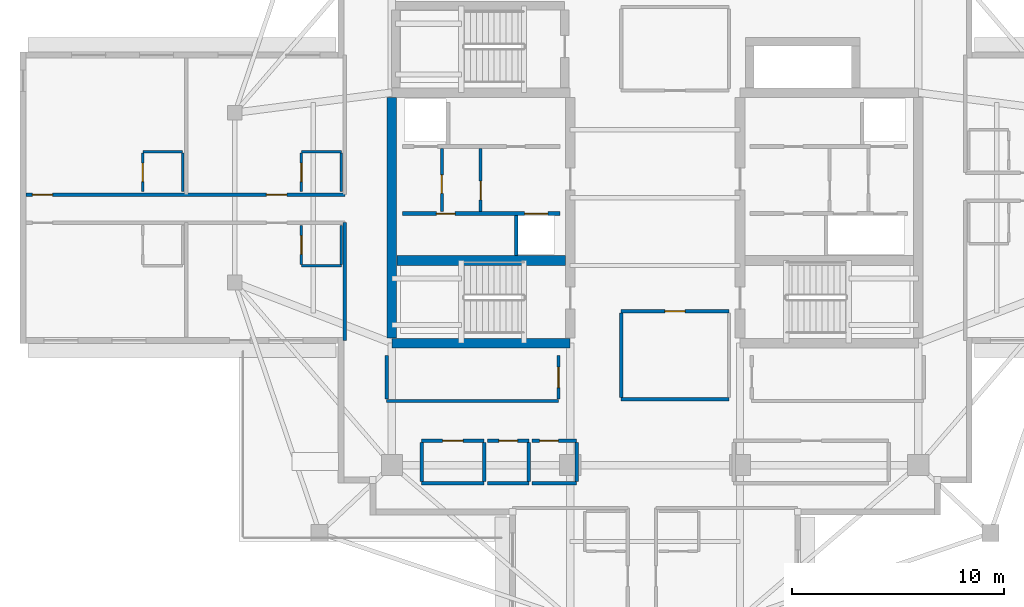
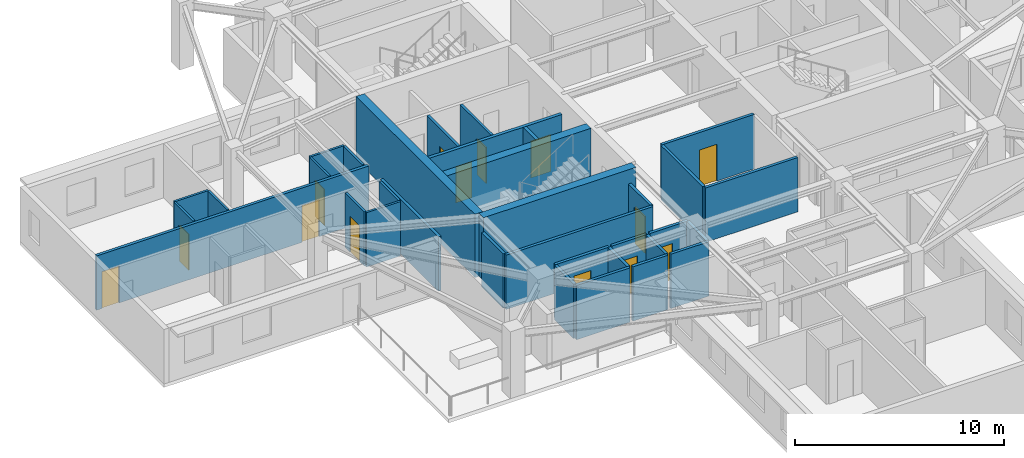
# One storey, part 4 of 12: 34 walls, 14 doors, 14 openings.
"""IFC4 building model written with IfcOpenShell, lengths in metres."""

from ifc_helpers import new_model, si_unit, direction, frame, frame_2d, origin, place, context, subcontext, project, spatial, rectangle, extrude, material, layer, layer_set, type_object, element, fill, save


model = new_model("IFC4")

# Units and contexts
model_context = context("Model", 3, precision=1e-05, world=origin(), true_north=direction((0.0, 1.0)))
body_context = subcontext(model_context, "Body", "Model", "MODEL_VIEW")
ifc_project = project(units=[si_unit("LENGTHUNIT", "METRE"), si_unit("AREAUNIT", "SQUARE_METRE"), si_unit("VOLUMEUNIT", "CUBIC_METRE"), si_unit("PLANEANGLEUNIT", "RADIAN"), si_unit("MASSUNIT", "GRAM", prefix="KILO")], contexts=[model_context])

# Site, building, storey
site_placement = place(None, origin())
site = spatial("IfcSite", under=ifc_project, at=site_placement, CompositionType="ELEMENT")
building_placement = place(site_placement, origin())
building = spatial("IfcBuilding", under=site, at=building_placement, Name="Qingluan Cross Belvedere", CompositionType="ELEMENT")
storey_placement = place(building_placement, frame((0.0, 0.0, 265.5)))
storey = spatial("IfcBuildingStorey", under=building, at=storey_placement, Name="L66", CompositionType="ELEMENT", Elevation=265.5)

# Walls
ifc_material_1 = material(Name="Concrete C50", Category="concrete")
ifc_layer_1 = layer(ifc_material_1, 0.449951171875, Name="CoreShearWall_450")
ifc_layer_set_1 = layer_set([ifc_layer_1], Name="Concrete C50")
wall_type_1 = type_object("IfcWallType", Name="CoreShearWall_450", PredefinedType="SHEAR", material=ifc_layer_set_1)
wall_1_placement = place(storey_placement, frame((-12.39990234375, -6.85009765625, 0.0), z_axis=(0.0, 0.0, 1.0), x_axis=(1.0, 0.0, 0.0)))
element("IfcWall", 1, at=wall_1_placement, inside=storey, type_object=wall_type_1, Name="Split core W shear wall L66-S", PredefinedType="SHEAR", context=body_context, shape_type="SweptSolid", body=[
    extrude(rectangle(XDim=8.39990234375, YDim=0.449951171875, at=frame_2d((4.199951171875, 0.0))), origin(), (0.0, 0.0, 1.0), 3.699951171875),
])
wall_2_placement = place(storey_placement, frame((-12.39990234375, -6.6201171875, 0.0), z_axis=(0.0, 0.0, 1.0), x_axis=(0.0, 1.0, 0.0)))
element("IfcWall", 2, at=wall_2_placement, inside=storey, type_object=wall_type_1, Name="Split core W shear wall L66-W", PredefinedType="SHEAR", context=body_context, shape_type="SweptSolid", body=[
    extrude(rectangle(XDim=11.340087890625, YDim=0.449951171875, at=frame_2d((5.669921875, 0.0))), origin(), (0.0, 0.0, 1.0), 3.699951171875),
])
wall_3_placement = place(storey_placement, frame((-12.169921875, -2.9599609375, 0.0), z_axis=(0.0, 0.0, 1.0), x_axis=(1.0, 0.0, 0.0)))
element("IfcWall", 3, at=wall_3_placement, inside=storey, type_object=wall_type_1, Name="Split core W shear wall L66-M", PredefinedType="SHEAR", context=body_context, shape_type="SweptSolid", body=[
    extrude(rectangle(XDim=7.93994140625, YDim=0.449951171875, at=frame_2d((3.969970703125, 0.0))), origin(), (0.0, 0.0, 1.0), 3.699951171875),
])

# Wall, opening, door
ifc_material_2 = material(Name="Gypsum plasterboard on steel stud acoustic partition", Category="steel")
ifc_layer_2 = layer(ifc_material_2, 0.159912109375, Name="CorridorPartition_160")
ifc_layer_set_2 = layer_set([ifc_layer_2], Name="Gypsum plasterboard on steel stud acoustic partition")
wall_type_2 = type_object("IfcWallType", Name="CorridorPartition_160", PredefinedType="PARTITIONING", material=ifc_layer_set_2)
wall_4_placement = place(storey_placement, frame((-10.050048828125, -0.652099609375, 0.0), z_axis=(0.0, 0.0, 1.0), x_axis=(0.0, 1.0, 0.0)))
wall_4 = element("IfcWall", 4, at=wall_4_placement, inside=storey, type_object=wall_type_2, Name="Partition L66:wv", PredefinedType="PARTITIONING", context=body_context, shape_type="SweptSolid", body=[
    extrude(rectangle(XDim=2.962158203125, YDim=0.139892578125, at=frame_2d((1.48095703125, 0.0))), origin(), (0.0, 0.0, 1.0), 3.169921875),
])
opening_1_placement = place(wall_4_placement, frame((0.85009765625, 0.0, 0.0)))
opening_1 = element("IfcOpeningElement", 5, at=opening_1_placement, cuts=wall_4, Name="Opening FD-B10", PredefinedType="OPENING", context=body_context, shape_type="SweptSolid", body=[
    extrude(rectangle(XDim=0.8798828125, YDim=2.10009765625, at=frame_2d((0.43994140625, 1.050048828125))), frame((0.0, 0.079833984375, 0.0), z_axis=(0.0, -1.0, 0.0), x_axis=(1.0, 0.0, 0.0)), (0.0, 0.0, 1.0), 0.159912109375),
])
ifc_material_3 = material(Name="Steel Class B service fire door", Category="steel")
door_type_1 = type_object("IfcDoorType", Name="RiserServiceFireDoor_FDB", OperationType="NOTDEFINED", PredefinedType="DOOR", material=ifc_material_3)
door_1_placement = place(opening_1_placement, origin())
door_1 = element("IfcDoor", 6, at=door_1_placement, inside=storey, type_object=door_type_1, Name="Service closet inner door L66", OperationType="SINGLE_SWING_LEFT", OverallHeight=2.10009765625, OverallWidth=0.8798828125, PredefinedType="DOOR", context=body_context, shape_type="SweptSolid", body=[
    extrude(rectangle(XDim=0.8798828125, YDim=2.10009765625, at=frame_2d((0.43994140625, 1.050048828125))), frame((0.0, 0.02490234375, 0.0), z_axis=(0.0, -1.0, 0.0), x_axis=(1.0, 0.0, 0.0)), (0.0, 0.0, 1.0), 0.050048828125),
])
fill(opening_1, door_1)

# Wall
wall_5_placement = place(storey_placement, frame((-11.0, -13.449951171875, 0.0), z_axis=(0.0, 0.0, 1.0), x_axis=(1.0, 0.0, 0.0)))
element("IfcWall", 7, at=wall_5_placement, inside=storey, type_object=wall_type_2, Name="Partition L66:q_sw_occ:S", PredefinedType="PARTITIONING", context=body_context, shape_type="SweptSolid", body=[
    extrude(rectangle(XDim=2.949951171875, YDim=0.159912109375, at=frame_2d((1.47509765625, 0.0))), origin(), (0.0, 0.0, 1.0), 3.169921875),
])

# Wall, opening, door
wall_6_placement = place(storey_placement, frame((-11.0, -11.449951171875, 0.0), z_axis=(0.0, 0.0, 1.0), x_axis=(1.0, 0.0, 0.0)))
wall_6 = element("IfcWall", 8, at=wall_6_placement, inside=storey, type_object=wall_type_2, Name="Partition L66:q_sw_occ:N", PredefinedType="PARTITIONING", context=body_context, shape_type="SweptSolid", body=[
    extrude(rectangle(XDim=2.949951171875, YDim=0.159912109375, at=frame_2d((1.47509765625, 0.0))), origin(), (0.0, 0.0, 1.0), 3.169921875),
])
opening_2_placement = place(wall_6_placement, frame((0.9951171875, 0.0, 0.0)))
opening_2 = element("IfcOpeningElement", 9, at=opening_2_placement, cuts=wall_6, Name="Opening GD-10", PredefinedType="OPENING", context=body_context, shape_type="SweptSolid", body=[
    extrude(rectangle(XDim=0.9599609375, YDim=2.14990234375, at=frame_2d((0.47998046875, 1.074951171875))), frame((0.0, 0.08984375, 0.0), z_axis=(0.0, -1.0, 0.0), x_axis=(1.0, 0.0, 0.0)), (0.0, 0.0, 1.0), 0.179931640625),
])
ifc_material_4 = material(Name="Timber oak fire-rated acoustic guestroom door", Category="wood")
door_type_2 = type_object("IfcDoorType", Name="GuestEntryDoor_FD60", OperationType="NOTDEFINED", PredefinedType="DOOR", material=ifc_material_4)
door_2_placement = place(opening_2_placement, origin())
door_2 = element("IfcDoor", 10, at=door_2_placement, inside=storey, type_object=door_type_2, Name="Wellness recovery room L66 door", OperationType="SINGLE_SWING_LEFT", OverallHeight=2.14990234375, OverallWidth=0.9599609375, PredefinedType="DOOR", context=body_context, shape_type="SweptSolid", body=[
    extrude(rectangle(XDim=0.9599609375, YDim=2.14990234375, at=frame_2d((0.47998046875, 1.074951171875))), frame((0.0, 0.02490234375, 0.0), z_axis=(0.0, -1.0, 0.0), x_axis=(1.0, 0.0, 0.0)), (0.0, 0.0, 1.0), 0.050048828125),
])
fill(opening_2, door_2)

# Walls
for number, where, z_axis, x_axis, name in (
    (11, (-11.0, -13.364990234375, 0.0), (0.0, 0.0, 1.0), (0.0, 1.0, 0.0), "Partition L66:q_sw_occ:W"),
    (12, (-8.050048828125, -13.364990234375, 0.0), (0.0, 0.0, 1.0), (0.0, 1.0, 0.0), "Partition L66:q_sw_occ:E"),
):
    element("IfcWall", number, at=place(storey_placement, frame(where, z_axis=z_axis, x_axis=x_axis)), inside=storey, type_object=wall_type_2, Name=name, PredefinedType="PARTITIONING", context=body_context, shape_type="SweptSolid", body=[
        extrude(rectangle(XDim=1.830078125, YDim=0.159912109375, at=frame_2d((0.9150390625, 0.0))), origin(), (0.0, 0.0, 1.0), 3.169921875),
    ])
wall_7_placement = place(storey_placement, frame((-7.889892578125, -13.449951171875, 0.0), z_axis=(0.0, 0.0, 1.0), x_axis=(1.0, 0.0, 0.0)))
element("IfcWall", 13, at=wall_7_placement, inside=storey, type_object=wall_type_2, Name="Partition L66:hk_linen:S", PredefinedType="PARTITIONING", context=body_context, shape_type="SweptSolid", body=[
    extrude(rectangle(XDim=1.93994140625, YDim=0.159912109375, at=frame_2d((0.969970703125, 0.0))), origin(), (0.0, 0.0, 1.0), 3.169921875),
])

# Wall, opening, door
wall_8_placement = place(storey_placement, frame((-7.889892578125, -11.449951171875, 0.0), z_axis=(0.0, 0.0, 1.0), x_axis=(1.0, 0.0, 0.0)))
wall_8 = element("IfcWall", 14, at=wall_8_placement, inside=storey, type_object=wall_type_2, Name="Partition L66:hk_linen:N", PredefinedType="PARTITIONING", context=body_context, shape_type="SweptSolid", body=[
    extrude(rectangle(XDim=1.93994140625, YDim=0.159912109375, at=frame_2d((0.969970703125, 0.0))), origin(), (0.0, 0.0, 1.0), 3.169921875),
])
opening_3_placement = place(wall_8_placement, frame((0.530029296875, 0.0, 0.0)))
opening_3 = element("IfcOpeningElement", 15, at=opening_3_placement, cuts=wall_8, Name="Opening FD-B10", PredefinedType="OPENING", context=body_context, shape_type="SweptSolid", body=[
    extrude(rectangle(XDim=0.8798828125, YDim=2.10009765625, at=frame_2d((0.43994140625, 1.050048828125))), frame((0.0, 0.08984375, 0.0), z_axis=(0.0, -1.0, 0.0), x_axis=(1.0, 0.0, 0.0)), (0.0, 0.0, 1.0), 0.179931640625),
])
door_3_placement = place(opening_3_placement, origin())
door_3 = element("IfcDoor", 16, at=door_3_placement, inside=storey, type_object=door_type_1, Name="Housekeeping and linen store L66 door", OperationType="SINGLE_SWING_RIGHT", OverallHeight=2.10009765625, OverallWidth=0.8798828125, PredefinedType="DOOR", context=body_context, shape_type="SweptSolid", body=[
    extrude(rectangle(XDim=0.8798828125, YDim=2.10009765625, at=frame_2d((0.43994140625, 1.050048828125))), frame((0.0, 0.02490234375, 0.0), z_axis=(0.0, -1.0, 0.0), x_axis=(1.0, 0.0, 0.0)), (0.0, 0.0, 1.0), 0.050048828125),
])
fill(opening_3, door_3)

# Walls
wall_9_placement = place(storey_placement, frame((-5.949951171875, -13.364990234375, 0.0), z_axis=(0.0, 0.0, 1.0), x_axis=(0.0, 1.0, 0.0)))
element("IfcWall", 17, at=wall_9_placement, inside=storey, type_object=wall_type_2, Name="Partition L66:hk_linen:E", PredefinedType="PARTITIONING", context=body_context, shape_type="SweptSolid", body=[
    extrude(rectangle(XDim=1.830078125, YDim=0.159912109375, at=frame_2d((0.9150390625, 0.0))), origin(), (0.0, 0.0, 1.0), 3.169921875),
])
wall_10_placement = place(storey_placement, frame((-5.7900390625, -13.449951171875, 0.0), z_axis=(0.0, 0.0, 1.0), x_axis=(1.0, 0.0, 0.0)))
element("IfcWall", 18, at=wall_10_placement, inside=storey, type_object=wall_type_2, Name="Partition L66:floor_acc_wc:S", PredefinedType="PARTITIONING", context=body_context, shape_type="SweptSolid", body=[
    extrude(rectangle(XDim=2.090087890625, YDim=0.159912109375, at=frame_2d((1.044921875, 0.0))), origin(), (0.0, 0.0, 1.0), 3.169921875),
])

# Wall, opening, door
wall_11_placement = place(storey_placement, frame((-5.7900390625, -11.449951171875, 0.0), z_axis=(0.0, 0.0, 1.0), x_axis=(1.0, 0.0, 0.0)))
wall_11 = element("IfcWall", 19, at=wall_11_placement, inside=storey, type_object=wall_type_2, Name="Partition L66:floor_acc_wc:N", PredefinedType="PARTITIONING", context=body_context, shape_type="SweptSolid", body=[
    extrude(rectangle(XDim=2.090087890625, YDim=0.159912109375, at=frame_2d((1.044921875, 0.0))), origin(), (0.0, 0.0, 1.0), 3.169921875),
])
opening_4_placement = place(wall_11_placement, frame((0.35009765625, 0.0, 0.0)))
opening_4 = element("IfcOpeningElement", 20, at=opening_4_placement, cuts=wall_11, Name="Opening BD-08", PredefinedType="OPENING", context=body_context, shape_type="SweptSolid", body=[
    extrude(rectangle(XDim=0.8798828125, YDim=2.14990234375, at=frame_2d((0.43994140625, 1.074951171875))), frame((0.0, 0.08984375, 0.0), z_axis=(0.0, -1.0, 0.0), x_axis=(1.0, 0.0, 0.0)), (0.0, 0.0, 1.0), 0.179931640625),
])
ifc_material_5 = material(Name="Moisture-sealed timber accessible WC door", Category="wood")
door_type_3 = type_object("IfcDoorType", Name="AccessibleWCDoor_880", OperationType="NOTDEFINED", PredefinedType="DOOR", material=ifc_material_5)
door_4_placement = place(opening_4_placement, origin())
door_4 = element("IfcDoor", 21, at=door_4_placement, inside=storey, type_object=door_type_3, Name="Accessible guest washroom L66 door", OperationType="SINGLE_SWING_LEFT", OverallHeight=2.14990234375, OverallWidth=0.8798828125, PredefinedType="DOOR", context=body_context, shape_type="SweptSolid", body=[
    extrude(rectangle(XDim=0.8798828125, YDim=2.14990234375, at=frame_2d((0.43994140625, 1.074951171875))), frame((0.0, 0.02490234375, 0.0), z_axis=(0.0, -1.0, 0.0), x_axis=(1.0, 0.0, 0.0)), (0.0, 0.0, 1.0), 0.050048828125),
])
fill(opening_4, door_4)

# Walls
wall_12_placement = place(storey_placement, frame((-3.699951171875, -13.364990234375, 0.0), z_axis=(0.0, 0.0, 1.0), x_axis=(0.0, 1.0, 0.0)))
element("IfcWall", 22, at=wall_12_placement, inside=storey, type_object=wall_type_2, Name="Partition L66:floor_acc_wc:E", PredefinedType="PARTITIONING", context=body_context, shape_type="SweptSolid", body=[
    extrude(rectangle(XDim=1.830078125, YDim=0.159912109375, at=frame_2d((0.9150390625, 0.0))), origin(), (0.0, 0.0, 1.0), 3.169921875),
])
wall_13_placement = place(storey_placement, frame((-1.60009765625, -9.5, 0.0), z_axis=(0.0, 0.0, 1.0), x_axis=(1.0, 0.0, 0.0)))
element("IfcWall", 23, at=wall_13_placement, inside=storey, type_object=wall_type_2, Name="Partition L66:sky_south_alcove:S", PredefinedType="PARTITIONING", context=body_context, shape_type="SweptSolid", body=[
    extrude(rectangle(XDim=5.080078125, YDim=0.159912109375, at=frame_2d((2.5400390625, 0.0))), origin(), (0.0, 0.0, 1.0), 3.169921875),
])

# Wall, opening, door
wall_14_placement = place(storey_placement, frame((-1.60009765625, -5.35009765625, 0.0), z_axis=(0.0, 0.0, 1.0), x_axis=(1.0, 0.0, 0.0)))
wall_14 = element("IfcWall", 24, at=wall_14_placement, inside=storey, type_object=wall_type_2, Name="Partition L66:sky_south_alcove:N", PredefinedType="PARTITIONING", context=body_context, shape_type="SweptSolid", body=[
    extrude(rectangle(XDim=5.080078125, YDim=0.159912109375, at=frame_2d((2.5400390625, 0.0))), origin(), (0.0, 0.0, 1.0), 3.169921875),
])
opening_5_placement = place(wall_14_placement, frame((2.06005859375, 0.0, 0.0)))
opening_5 = element("IfcOpeningElement", 25, at=opening_5_placement, cuts=wall_14, Name="Opening GD-10", PredefinedType="OPENING", context=body_context, shape_type="SweptSolid", body=[
    extrude(rectangle(XDim=0.9599609375, YDim=2.14990234375, at=frame_2d((0.47998046875, 1.074951171875))), frame((0.0, 0.08984375, 0.0), z_axis=(0.0, -1.0, 0.0), x_axis=(1.0, 0.0, 0.0)), (0.0, 0.0, 1.0), 0.179931640625),
])
door_5_placement = place(opening_5_placement, origin())
door_5 = element("IfcDoor", 26, at=door_5_placement, inside=storey, type_object=door_type_2, Name="South horizon reading alcove L66 door", OperationType="SINGLE_SWING_LEFT", OverallHeight=2.14990234375, OverallWidth=0.9599609375, PredefinedType="DOOR", context=body_context, shape_type="SweptSolid", body=[
    extrude(rectangle(XDim=0.9599609375, YDim=2.14990234375, at=frame_2d((0.47998046875, 1.074951171875))), frame((0.0, 0.02490234375, 0.0), z_axis=(0.0, -1.0, 0.0), x_axis=(1.0, 0.0, 0.0)), (0.0, 0.0, 1.0), 0.050048828125),
])
fill(opening_5, door_5)

# Walls
wall_15_placement = place(storey_placement, frame((-1.60009765625, -9.4150390625, 0.0), z_axis=(0.0, 0.0, 1.0), x_axis=(0.0, 1.0, 0.0)))
element("IfcWall", 27, at=wall_15_placement, inside=storey, type_object=wall_type_2, Name="Partition L66:sky_south_alcove:W", PredefinedType="PARTITIONING", context=body_context, shape_type="SweptSolid", body=[
    extrude(rectangle(XDim=3.97998046875, YDim=0.159912109375, at=frame_2d((1.989990234375, 0.0))), origin(), (0.0, 0.0, 1.0), 3.169921875),
])
wall_16_placement = place(storey_placement, frame((-12.64990234375, -9.580078125, 0.0), z_axis=(0.0, 0.0, 1.0), x_axis=(1.0, 0.0, 0.0)))
element("IfcWall", 28, at=wall_16_placement, inside=storey, type_object=wall_type_2, Name="Partition L66:rec_st4_w:S", PredefinedType="PARTITIONING", context=body_context, shape_type="SweptSolid", body=[
    extrude(rectangle(XDim=8.099853515625, YDim=0.159912109375, at=frame_2d((4.0498046875, 0.0))), origin(), (0.0, 0.0, 1.0), 3.169921875),
])
wall_17_placement = place(storey_placement, frame((-12.64990234375, -9.4951171875, 0.0), z_axis=(0.0, 0.0, 1.0), x_axis=(0.0, 1.0, 0.0)))
element("IfcWall", 29, at=wall_17_placement, inside=storey, type_object=wall_type_2, Name="Partition L66:rec_st4_w:W", PredefinedType="PARTITIONING", context=body_context, shape_type="SweptSolid", body=[
    extrude(rectangle(XDim=2.06005859375, YDim=0.159912109375, at=frame_2d((1.030029296875, 0.0))), origin(), (0.0, 0.0, 1.0), 3.169921875),
])

# Wall, opening, door
wall_18_placement = place(storey_placement, frame((-4.550048828125, -9.4951171875, 0.0), z_axis=(0.0, 0.0, 1.0), x_axis=(0.0, 1.0, 0.0)))
wall_18 = element("IfcWall", 30, at=wall_18_placement, inside=storey, type_object=wall_type_2, Name="Partition L66:rec_st4_w:E", PredefinedType="PARTITIONING", context=body_context, shape_type="SweptSolid", body=[
    extrude(rectangle(XDim=2.06005859375, YDim=0.159912109375, at=frame_2d((1.030029296875, 0.0))), origin(), (0.0, 0.0, 1.0), 3.169921875),
])
opening_6_placement = place(wall_18_placement, frame((0.550048828125, 0.0, 0.0)))
opening_6 = element("IfcOpeningElement", 31, at=opening_6_placement, cuts=wall_18, Name="Opening GD-10", PredefinedType="OPENING", context=body_context, shape_type="SweptSolid", body=[
    extrude(rectangle(XDim=0.9599609375, YDim=2.14990234375, at=frame_2d((0.47998046875, 1.074951171875))), frame((0.0, 0.08984375, 0.0), z_axis=(0.0, -1.0, 0.0), x_axis=(1.0, 0.0, 0.0)), (0.0, 0.0, 1.0), 0.179931640625),
])
door_6_placement = place(opening_6_placement, origin())
door_6 = element("IfcDoor", 32, at=door_6_placement, inside=storey, type_object=door_type_2, Name="Southwest club reading room L66 door", OperationType="SINGLE_SWING_LEFT", OverallHeight=2.14990234375, OverallWidth=0.9599609375, PredefinedType="DOOR", context=body_context, shape_type="SweptSolid", body=[
    extrude(rectangle(XDim=0.9599609375, YDim=2.14990234375, at=frame_2d((0.47998046875, 1.074951171875))), frame((0.0, 0.02490234375, 0.0), z_axis=(0.0, -1.0, 0.0), x_axis=(1.0, 0.0, 0.0)), (0.0, 0.0, 1.0), 0.050048828125),
])
fill(opening_6, door_6)

# Wall, openings, doors
wall_19_placement = place(storey_placement, frame((-14.6201171875, 0.139892578125, 0.0), z_axis=(0.0, 0.0, 1.0), x_axis=(-1.0, 0.0, 0.0)))
wall_19 = element("IfcWall", 33, at=wall_19_placement, inside=storey, type_object=wall_type_2, Name="Partition L66:W:c0", PredefinedType="PARTITIONING", context=body_context, shape_type="SweptSolid", body=[
    extrude(rectangle(XDim=15.011962890625, YDim=0.159912109375, at=frame_2d((7.505859375, 0.0))), origin(), (0.0, 0.0, 1.0), 3.169921875),
])
opening_7_placement = place(wall_19_placement, frame((2.72802734375, 0.0, 0.0)))
opening_7 = element("IfcOpeningElement", 34, at=opening_7_placement, cuts=wall_19, Name="Opening GD-10", PredefinedType="OPENING", context=body_context, shape_type="SweptSolid", body=[
    extrude(rectangle(XDim=0.9599609375, YDim=2.14990234375, at=frame_2d((0.47998046875, 1.074951171875))), frame((0.0, 0.08984375, 0.0), z_axis=(0.0, -1.0, 0.0), x_axis=(1.0, 0.0, 0.0)), (0.0, 0.0, 1.0), 0.179931640625),
])
opening_8_placement = place(wall_19_placement, frame((13.760009765625, 0.0, 0.0)))
opening_8 = element("IfcOpeningElement", 35, at=opening_8_placement, cuts=wall_19, Name="Opening GD-10", PredefinedType="OPENING", context=body_context, shape_type="SweptSolid", body=[
    extrude(rectangle(XDim=0.9599609375, YDim=2.14990234375, at=frame_2d((0.47998046875, 1.074951171875))), frame((0.0, 0.08984375, 0.0), z_axis=(0.0, -1.0, 0.0), x_axis=(1.0, 0.0, 0.0)), (0.0, 0.0, 1.0), 0.179931640625),
])
door_7_placement = place(opening_7_placement, origin())
door_7 = element("IfcDoor", 36, at=door_7_placement, inside=storey, type_object=door_type_2, Name="Guest entry fire door 6605", OperationType="SINGLE_SWING_RIGHT", OverallHeight=2.14990234375, OverallWidth=0.9599609375, PredefinedType="DOOR", context=body_context, shape_type="SweptSolid", body=[
    extrude(rectangle(XDim=0.9599609375, YDim=2.14990234375, at=frame_2d((0.47998046875, 1.074951171875))), frame((0.0, 0.02490234375, 0.0), z_axis=(0.0, -1.0, 0.0), x_axis=(1.0, 0.0, 0.0)), (0.0, 0.0, 1.0), 0.050048828125),
])
fill(opening_7, door_7)
door_8_placement = place(opening_8_placement, origin())
door_8 = element("IfcDoor", 37, at=door_8_placement, inside=storey, type_object=door_type_2, Name="Guest entry fire door 6606", OperationType="SINGLE_SWING_RIGHT", OverallHeight=2.14990234375, OverallWidth=0.9599609375, PredefinedType="DOOR", context=body_context, shape_type="SweptSolid", body=[
    extrude(rectangle(XDim=0.9599609375, YDim=2.14990234375, at=frame_2d((0.47998046875, 1.074951171875))), frame((0.0, 0.02490234375, 0.0), z_axis=(0.0, -1.0, 0.0), x_axis=(1.0, 0.0, 0.0)), (0.0, 0.0, 1.0), 0.050048828125),
])
fill(opening_8, door_8)

# Wall
wall_20_placement = place(storey_placement, frame((-14.6201171875, -1.179931640625, 0.0), z_axis=(0.0, 0.0, 1.0), x_axis=(0.0, -1.0, 0.0)))
element("IfcWall", 38, at=wall_20_placement, inside=storey, type_object=wall_type_2, Name="Partition L66:W:s1", PredefinedType="PARTITIONING", context=body_context, shape_type="SweptSolid", body=[
    extrude(rectangle(XDim=5.5400390625, YDim=0.159912109375, at=frame_2d((2.77001953125, 0.0))), origin(), (0.0, 0.0, 1.0), 3.169921875),
])

# Wall, opening, door
ifc_material_6 = material(Name="Moisture-resistant gypsum board lining")
ifc_layer_3 = layer(ifc_material_6, 0.1201171875, Name="EnsuiteWetPartition_120")
ifc_layer_set_3 = layer_set([ifc_layer_3], Name="Moisture-resistant gypsum board lining")
wall_type_3 = type_object("IfcWallType", Name="EnsuiteWetPartition_120", PredefinedType="PARTITIONING", material=ifc_layer_set_3)
wall_21_placement = place(storey_placement, frame((-16.659912109375, 0.280029296875, 0.0), z_axis=(0.0, 0.0, 1.0), x_axis=(0.0, 1.0, 0.0)))
wall_21 = element("IfcWall", 39, at=wall_21_placement, inside=storey, type_object=wall_type_3, Name="Partition L66:W:bs0_0", PredefinedType="PARTITIONING", context=body_context, shape_type="SweptSolid", body=[
    extrude(rectangle(XDim=1.820068359375, YDim=0.1201171875, at=frame_2d((0.91015625, 0.0))), origin(), (0.0, 0.0, 1.0), 3.169921875),
])
opening_9_placement = place(wall_21_placement, frame((0.469970703125, 0.0, 0.0)))
opening_9 = element("IfcOpeningElement", 40, at=opening_9_placement, cuts=wall_21, Name="Opening BD-09", PredefinedType="OPENING", context=body_context, shape_type="SweptSolid", body=[
    extrude(rectangle(XDim=0.8798828125, YDim=2.10009765625, at=frame_2d((0.43994140625, 1.050048828125))), frame((0.0, 0.070068359375, 0.0), z_axis=(0.0, -1.0, 0.0), x_axis=(1.0, 0.0, 0.0)), (0.0, 0.0, 1.0), 0.14013671875),
])
ifc_material_7 = material(Name="Moisture-sealed timber en-suite door", Category="wood")
door_type_4 = type_object("IfcDoorType", Name="BathroomDoor_880", OperationType="NOTDEFINED", PredefinedType="DOOR", material=ifc_material_7)
door_9_placement = place(opening_9_placement, origin())
door_9 = element("IfcDoor", 41, at=door_9_placement, inside=storey, type_object=door_type_4, Name="Bathroom door 6605", OperationType="SINGLE_SWING_LEFT", OverallHeight=2.10009765625, OverallWidth=0.8798828125, PredefinedType="DOOR", context=body_context, shape_type="SweptSolid", body=[
    extrude(rectangle(XDim=0.8798828125, YDim=2.10009765625, at=frame_2d((0.43994140625, 1.050048828125))), frame((0.0, 0.02490234375, 0.0), z_axis=(0.0, -1.0, 0.0), x_axis=(1.0, 0.0, 0.0)), (0.0, 0.0, 1.0), 0.050048828125),
])
fill(opening_9, door_9)

# Walls
wall_22_placement = place(storey_placement, frame((-14.780029296875, 0.280029296875, 0.0), z_axis=(0.0, 0.0, 1.0), x_axis=(0.0, 1.0, 0.0)))
element("IfcWall", 42, at=wall_22_placement, inside=storey, type_object=wall_type_3, Name="Partition L66:W:bw0_0", PredefinedType="PARTITIONING", context=body_context, shape_type="SweptSolid", body=[
    extrude(rectangle(XDim=1.820068359375, YDim=0.1201171875, at=frame_2d((0.91015625, 0.0))), origin(), (0.0, 0.0, 1.0), 3.169921875),
])
wall_23_placement = place(storey_placement, frame((-14.780029296875, 2.1650390625, 0.0), z_axis=(0.0, 0.0, 1.0), x_axis=(-1.0, 0.0, 0.0)))
element("IfcWall", 43, at=wall_23_placement, inside=storey, type_object=wall_type_3, Name="Partition L66:W:bn0_0", PredefinedType="PARTITIONING", context=body_context, shape_type="SweptSolid", body=[
    extrude(rectangle(XDim=1.8798828125, YDim=0.1201171875, at=frame_2d((0.93994140625, 0.0))), origin(), (0.0, 0.0, 1.0), 3.169921875),
])

# Wall, opening, door
wall_24_placement = place(storey_placement, frame((-24.136962890625, 0.280029296875, 0.0), z_axis=(0.0, 0.0, 1.0), x_axis=(0.0, 1.0, 0.0)))
wall_24 = element("IfcWall", 44, at=wall_24_placement, inside=storey, type_object=wall_type_3, Name="Partition L66:W:bs0_1", PredefinedType="PARTITIONING", context=body_context, shape_type="SweptSolid", body=[
    extrude(rectangle(XDim=1.820068359375, YDim=0.1201171875, at=frame_2d((0.91015625, 0.0))), origin(), (0.0, 0.0, 1.0), 3.169921875),
])
opening_10_placement = place(wall_24_placement, frame((0.469970703125, 0.0, 0.0)))
opening_10 = element("IfcOpeningElement", 45, at=opening_10_placement, cuts=wall_24, Name="Opening BD-09", PredefinedType="OPENING", context=body_context, shape_type="SweptSolid", body=[
    extrude(rectangle(XDim=0.8798828125, YDim=2.10009765625, at=frame_2d((0.43994140625, 1.050048828125))), frame((0.0, 0.070068359375, 0.0), z_axis=(0.0, -1.0, 0.0), x_axis=(1.0, 0.0, 0.0)), (0.0, 0.0, 1.0), 0.14013671875),
])
door_10_placement = place(opening_10_placement, origin())
door_10 = element("IfcDoor", 46, at=door_10_placement, inside=storey, type_object=door_type_4, Name="Bathroom door 6606", OperationType="SINGLE_SWING_LEFT", OverallHeight=2.10009765625, OverallWidth=0.8798828125, PredefinedType="DOOR", context=body_context, shape_type="SweptSolid", body=[
    extrude(rectangle(XDim=0.8798828125, YDim=2.10009765625, at=frame_2d((0.43994140625, 1.050048828125))), frame((0.0, 0.02490234375, 0.0), z_axis=(0.0, -1.0, 0.0), x_axis=(1.0, 0.0, 0.0)), (0.0, 0.0, 1.0), 0.050048828125),
])
fill(opening_10, door_10)

# Walls
wall_25_placement = place(storey_placement, frame((-22.257080078125, 0.280029296875, 0.0), z_axis=(0.0, 0.0, 1.0), x_axis=(0.0, 1.0, 0.0)))
element("IfcWall", 47, at=wall_25_placement, inside=storey, type_object=wall_type_3, Name="Partition L66:W:bw0_1", PredefinedType="PARTITIONING", context=body_context, shape_type="SweptSolid", body=[
    extrude(rectangle(XDim=1.820068359375, YDim=0.1201171875, at=frame_2d((0.91015625, 0.0))), origin(), (0.0, 0.0, 1.0), 3.169921875),
])
wall_26_placement = place(storey_placement, frame((-22.257080078125, 2.1650390625, 0.0), z_axis=(0.0, 0.0, 1.0), x_axis=(-1.0, 0.0, 0.0)))
element("IfcWall", 48, at=wall_26_placement, inside=storey, type_object=wall_type_3, Name="Partition L66:W:bn0_1", PredefinedType="PARTITIONING", context=body_context, shape_type="SweptSolid", body=[
    extrude(rectangle(XDim=1.8798828125, YDim=0.1201171875, at=frame_2d((0.93994140625, 0.0))), origin(), (0.0, 0.0, 1.0), 3.169921875),
])

# Wall, opening, door
wall_27_placement = place(storey_placement, frame((-16.659912109375, -3.139892578125, 0.0), z_axis=(0.0, 0.0, 1.0), x_axis=(0.0, 1.0, 0.0)))
wall_27 = element("IfcWall", 49, at=wall_27_placement, inside=storey, type_object=wall_type_3, Name="Partition L66:W:bs1_0", PredefinedType="PARTITIONING", context=body_context, shape_type="SweptSolid", body=[
    extrude(rectangle(XDim=1.81982421875, YDim=0.1201171875, at=frame_2d((0.909912109375, 0.0))), origin(), (0.0, 0.0, 1.0), 3.169921875),
])
opening_11_placement = place(wall_27_placement, frame((0.469970703125, 0.0, 0.0)))
opening_11 = element("IfcOpeningElement", 50, at=opening_11_placement, cuts=wall_27, Name="Opening BD-09", PredefinedType="OPENING", context=body_context, shape_type="SweptSolid", body=[
    extrude(rectangle(XDim=0.8798828125, YDim=2.10009765625, at=frame_2d((0.43994140625, 1.050048828125))), frame((0.0, 0.070068359375, 0.0), z_axis=(0.0, -1.0, 0.0), x_axis=(1.0, 0.0, 0.0)), (0.0, 0.0, 1.0), 0.14013671875),
])
door_11_placement = place(opening_11_placement, origin())
door_11 = element("IfcDoor", 51, at=door_11_placement, inside=storey, type_object=door_type_4, Name="Bathroom door 6607", OperationType="SINGLE_SWING_LEFT", OverallHeight=2.10009765625, OverallWidth=0.8798828125, PredefinedType="DOOR", context=body_context, shape_type="SweptSolid", body=[
    extrude(rectangle(XDim=0.8798828125, YDim=2.10009765625, at=frame_2d((0.43994140625, 1.050048828125))), frame((0.0, 0.02490234375, 0.0), z_axis=(0.0, -1.0, 0.0), x_axis=(1.0, 0.0, 0.0)), (0.0, 0.0, 1.0), 0.050048828125),
])
fill(opening_11, door_11)

# Walls
wall_28_placement = place(storey_placement, frame((-14.780029296875, -3.139892578125, 0.0), z_axis=(0.0, 0.0, 1.0), x_axis=(0.0, 1.0, 0.0)))
element("IfcWall", 52, at=wall_28_placement, inside=storey, type_object=wall_type_3, Name="Partition L66:W:bw1_0", PredefinedType="PARTITIONING", context=body_context, shape_type="SweptSolid", body=[
    extrude(rectangle(XDim=1.81982421875, YDim=0.1201171875, at=frame_2d((0.909912109375, 0.0))), origin(), (0.0, 0.0, 1.0), 3.169921875),
])
wall_29_placement = place(storey_placement, frame((-14.780029296875, -3.205078125, 0.0), z_axis=(0.0, 0.0, 1.0), x_axis=(-1.0, 0.0, 0.0)))
element("IfcWall", 53, at=wall_29_placement, inside=storey, type_object=wall_type_3, Name="Partition L66:W:bc1_0", PredefinedType="PARTITIONING", context=body_context, shape_type="SweptSolid", body=[
    extrude(rectangle(XDim=1.8798828125, YDim=0.1201171875, at=frame_2d((0.93994140625, 0.0))), origin(), (0.0, 0.0, 1.0), 3.169921875),
])

# Wall, openings, doors
ifc_material_8 = material(Name="Concrete C40", Category="concrete")
ifc_layer_4 = layer(ifc_material_8, 0.219970703125, Name="ShaftEnclosureWall_250")
ifc_layer_set_4 = layer_set([ifc_layer_4], Name="Concrete C40")
wall_type_4 = type_object("IfcWallType", Name="ShaftEnclosureWall_250", PredefinedType="SOLIDWALL", material=ifc_layer_set_4)
wall_30_placement = place(storey_placement, frame((-11.89990234375, -0.75, 0.0), z_axis=(0.0, 0.0, 1.0), x_axis=(1.0, 0.0, 0.0)))
wall_30 = element("IfcWall", 54, at=wall_30_placement, inside=storey, type_object=wall_type_4, Name="Core-W mid hoistway wall L66", PredefinedType="SOLIDWALL", context=body_context, shape_type="SweptSolid", body=[
    extrude(rectangle(XDim=7.419921875, YDim=0.179931640625, at=frame_2d((3.7099609375, 0.0))), origin(), (0.0, 0.0, 1.0), 3.169921875),
])
opening_12_placement = place(wall_30_placement, frame((5.75, 0.0, 0.0)))
opening_12 = element("IfcOpeningElement", 55, at=opening_12_placement, cuts=wall_30, Name="Opening LD-11", PredefinedType="OPENING", context=body_context, shape_type="SweptSolid", body=[
    extrude(rectangle(XDim=1.10009765625, YDim=2.14990234375, at=frame_2d((0.550048828125, 1.074951171875))), frame((0.0, 0.099853515625, 0.0), z_axis=(0.0, -1.0, 0.0), x_axis=(1.0, 0.0, 0.0)), (0.0, 0.0, 1.0), 0.199951171875),
])
opening_13_placement = place(wall_30_placement, frame((1.60009765625, 0.0, 0.0)))
opening_13 = element("IfcOpeningElement", 56, at=opening_13_placement, cuts=wall_30, Name="Opening FD-B10", PredefinedType="OPENING", context=body_context, shape_type="SweptSolid", body=[
    extrude(rectangle(XDim=0.8798828125, YDim=2.10009765625, at=frame_2d((0.43994140625, 1.050048828125))), frame((0.0, 0.099853515625, 0.0), z_axis=(0.0, -1.0, 0.0), x_axis=(1.0, 0.0, 0.0)), (0.0, 0.0, 1.0), 0.199951171875),
])
ifc_material_9 = material(Name="Brushed stainless steel centre-opening lift landing door", Category="steel")
door_type_5 = type_object("IfcDoorType", Name="LiftLandingSlidingDoor_1100", OperationType="DOUBLE_DOOR_SLIDING", PredefinedType="DOOR", material=ifc_material_9)
door_12_placement = place(opening_12_placement, origin())
door_12 = element("IfcDoor", 57, at=door_12_placement, inside=storey, type_object=door_type_5, Name="Lift landing sliding door LP8 L66", OperationType="DOUBLE_DOOR_SLIDING", OverallHeight=2.14990234375, OverallWidth=1.10009765625, PredefinedType="DOOR", context=body_context, shape_type="SweptSolid", body=[
    extrude(rectangle(XDim=1.10009765625, YDim=2.14990234375, at=frame_2d((0.550048828125, 1.074951171875))), frame((0.0, 0.02490234375, 0.0), z_axis=(0.0, -1.0, 0.0), x_axis=(1.0, 0.0, 0.0)), (0.0, 0.0, 1.0), 0.050048828125),
])
fill(opening_12, door_12)
door_13_placement = place(opening_13_placement, origin())
door_13 = element("IfcDoor", 58, at=door_13_placement, inside=storey, type_object=door_type_1, Name="Upper-zone electrical room door L66", OperationType="SINGLE_SWING_LEFT", OverallHeight=2.10009765625, OverallWidth=0.8798828125, PredefinedType="DOOR", context=body_context, shape_type="SweptSolid", body=[
    extrude(rectangle(XDim=0.8798828125, YDim=2.10009765625, at=frame_2d((0.43994140625, 1.050048828125))), frame((0.0, 0.02490234375, 0.0), z_axis=(0.0, -1.0, 0.0), x_axis=(1.0, 0.0, 0.0)), (0.0, 0.0, 1.0), 0.050048828125),
])
fill(opening_13, door_13)

# Wall
wall_31_placement = place(storey_placement, frame((-6.5400390625, -2.72998046875, 0.0), z_axis=(0.0, 0.0, 1.0), x_axis=(0.0, 1.0, 0.0)))
element("IfcWall", 59, at=wall_31_placement, inside=storey, type_object=wall_type_4, Name="Hoistway enclosure divider LP8W L66", PredefinedType="SOLIDWALL", context=body_context, shape_type="SweptSolid", body=[
    extrude(rectangle(XDim=1.889892578125, YDim=0.179931640625, at=frame_2d((0.94482421875, 0.0))), origin(), (0.0, 0.0, 1.0), 3.169921875),
])

# Wall, opening, door
wall_32_placement = place(storey_placement, frame((-8.219970703125, -0.64990234375, 0.0), z_axis=(0.0, 0.0, 1.0), x_axis=(0.0, 1.0, 0.0)))
wall_32 = element("IfcWall", 60, at=wall_32_placement, inside=storey, type_object=wall_type_4, Name="Core-W service corridor wall L66", PredefinedType="SOLIDWALL", context=body_context, shape_type="SweptSolid", body=[
    extrude(rectangle(XDim=2.9599609375, YDim=0.139892578125, at=frame_2d((1.47998046875, 0.0))), origin(), (0.0, 0.0, 1.0), 3.169921875),
])
opening_14_placement = place(wall_32_placement, frame((0.550048828125, 0.0, 0.0)))
opening_14 = element("IfcOpeningElement", 61, at=opening_14_placement, cuts=wall_32, Name="Opening FD-B10", PredefinedType="OPENING", context=body_context, shape_type="SweptSolid", body=[
    extrude(rectangle(XDim=0.8798828125, YDim=2.10009765625, at=frame_2d((0.43994140625, 1.050048828125))), frame((0.0, 0.079833984375, 0.0), z_axis=(0.0, -1.0, 0.0), x_axis=(1.0, 0.0, 0.0)), (0.0, 0.0, 1.0), 0.159912109375),
])
door_14_placement = place(opening_14_placement, origin())
door_14 = element("IfcDoor", 62, at=door_14_placement, inside=storey, type_object=door_type_1, Name="Core-W service room door L66", OperationType="SINGLE_SWING_LEFT", OverallHeight=2.10009765625, OverallWidth=0.8798828125, PredefinedType="DOOR", context=body_context, shape_type="SweptSolid", body=[
    extrude(rectangle(XDim=0.8798828125, YDim=2.10009765625, at=frame_2d((0.43994140625, 1.050048828125))), frame((0.0, 0.02490234375, 0.0), z_axis=(0.0, -1.0, 0.0), x_axis=(1.0, 0.0, 0.0)), (0.0, 0.0, 1.0), 0.050048828125),
])
fill(opening_14, door_14)

save(model, "model.ifc")
